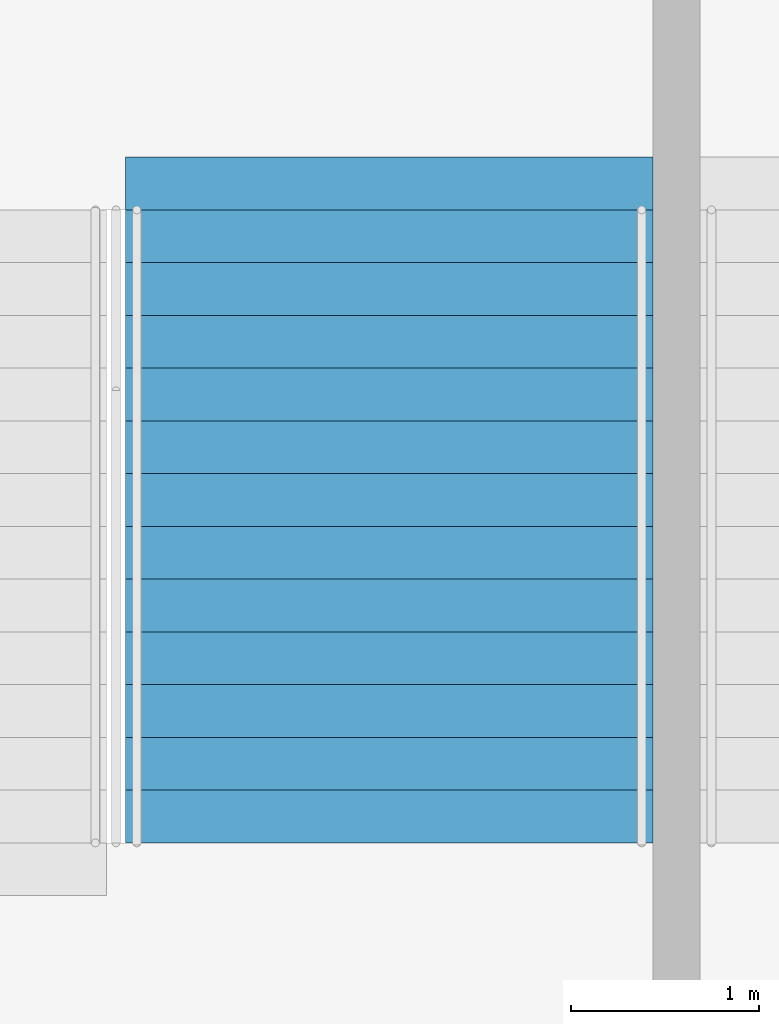
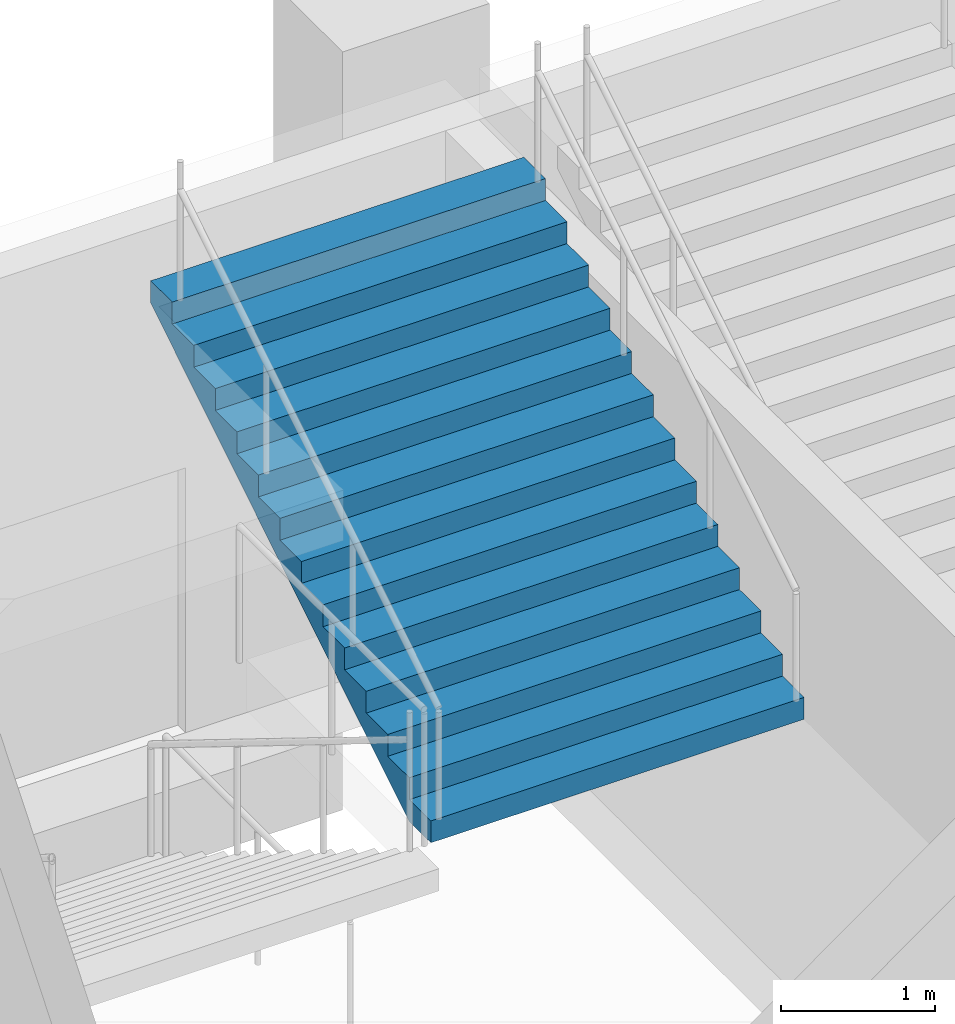
# One storey, part 99 of 177: 1 stair flight, 1 element without a shape of its own.
"""IFC4 building model written with IfcOpenShell, lengths in metres."""

from ifc_helpers import new_model, si_unit, direction, frame, origin, place, context, subcontext, project, spatial, faceted_brep, material, type_object, element, aggregate, save


model = new_model("IFC4")

# Units and contexts
model_context = context("Model", 3, precision=1e-05, world=origin(), true_north=direction((0.0, 1.0)))
body_context = subcontext(model_context, "Body", "Model", "MODEL_VIEW")
ifc_project = project(units=[si_unit("LENGTHUNIT", "METRE"), si_unit("AREAUNIT", "SQUARE_METRE"), si_unit("VOLUMEUNIT", "CUBIC_METRE"), si_unit("PLANEANGLEUNIT", "RADIAN"), si_unit("MASSUNIT", "GRAM", prefix="KILO")], contexts=[model_context])

# Site, building, storey
site_placement = place(None, origin())
site = spatial("IfcSite", under=ifc_project, at=site_placement, CompositionType="ELEMENT")
building_placement = place(site_placement, origin())
building = spatial("IfcBuilding", under=site, at=building_placement, Name="Ogive Plaza Stadium", CompositionType="ELEMENT")
storey_placement = place(building_placement, frame((0.0, 0.0, 18.0)))
storey = spatial("IfcBuildingStorey", under=building, at=storey_placement, Name="L04", CompositionType="ELEMENT", Elevation=18.0)

# Stair, stair flight
ifc_material_1 = material(Name="Concrete C40/50", Category="concrete")
stair_type = type_object("IfcStairType", Name="Exit stair", PredefinedType="STRAIGHT_RUN_STAIR", material=ifc_material_1)
stair_placement = place(storey_placement, origin())
stair = element("IfcStair", 1, at=stair_placement, inside=storey, type_object=stair_type, Name="Exit stair ST14A L04 to L05", PredefinedType="STRAIGHT_RUN_STAIR")
ifc_material_2 = material(Name="Concrete C40/50", Category="concrete")
stair_flight_type = type_object("IfcStairFlightType", Name="Exit stair flight", PredefinedType="STRAIGHT", material=ifc_material_2)
stair_flight_placement = place(storey_placement, frame((5.27490234375, -98.2099609375, 2.25), z_axis=(0.0, 0.0, 1.0), x_axis=(0.0, 1.0, 0.0)))
stair_flight = element("IfcStairFlight", 2, at=stair_flight_placement, type_object=stair_flight_type, Name="ST14A flight 2", NumberOfRisers=13, NumberOfTreads=12, PredefinedType="STRAIGHT", RiserHeight=0.173076923, TreadLength=0.28, context=body_context, shape_type="Brep", body=[
    faceted_brep([(0.28515625, -1.39990234375, 0.0), (3.639892578125, -1.39990234375, 2.07373046875), (3.639892578125, -1.39990234375, 2.25), (3.360107421875, -1.39990234375, 2.25), (3.360107421875, -1.39990234375, 2.076904296875), (3.080078125, -1.39990234375, 2.076904296875), (3.080078125, -1.39990234375, 1.90380859375), (2.800048828125, -1.39990234375, 1.90380859375), (2.800048828125, -1.39990234375, 1.730712890625), (2.52001953125, -1.39990234375, 1.730712890625), (2.52001953125, -1.39990234375, 1.5576171875), (2.239990234375, -1.39990234375, 1.5576171875), (2.239990234375, -1.39990234375, 1.384521484375), (1.9599609375, -1.39990234375, 1.384521484375), (1.9599609375, -1.39990234375, 1.21142578125), (1.679931640625, -1.39990234375, 1.21142578125), (1.679931640625, -1.39990234375, 1.03857421875), (1.39990234375, -1.39990234375, 1.03857421875), (1.39990234375, -1.39990234375, 0.865478515625), (1.1201171875, -1.39990234375, 0.865478515625), (1.1201171875, -1.39990234375, 0.6923828125), (0.840087890625, -1.39990234375, 0.6923828125), (0.840087890625, -1.39990234375, 0.519287109375), (0.56005859375, -1.39990234375, 0.519287109375), (0.56005859375, -1.39990234375, 0.34619140625), (0.280029296875, -1.39990234375, 0.34619140625), (0.280029296875, -1.39990234375, 0.173095703125), (0.0, -1.39990234375, 0.173095703125), (0.0, -1.39990234375, 0.0), (0.0, 1.39990234375, 0.0), (0.0, 1.39990234375, 0.173095703125), (0.280029296875, 1.39990234375, 0.173095703125), (0.280029296875, 1.39990234375, 0.34619140625), (0.56005859375, 1.39990234375, 0.34619140625), (0.56005859375, 1.39990234375, 0.519287109375), (0.840087890625, 1.39990234375, 0.519287109375), (0.840087890625, 1.39990234375, 0.6923828125), (1.1201171875, 1.39990234375, 0.6923828125), (1.1201171875, 1.39990234375, 0.865478515625), (1.39990234375, 1.39990234375, 0.865478515625), (1.39990234375, 1.39990234375, 1.03857421875), (1.679931640625, 1.39990234375, 1.03857421875), (1.679931640625, 1.39990234375, 1.21142578125), (1.9599609375, 1.39990234375, 1.21142578125), (1.9599609375, 1.39990234375, 1.384521484375), (2.239990234375, 1.39990234375, 1.384521484375), (2.239990234375, 1.39990234375, 1.5576171875), (2.52001953125, 1.39990234375, 1.5576171875), (2.52001953125, 1.39990234375, 1.730712890625), (2.800048828125, 1.39990234375, 1.730712890625), (2.800048828125, 1.39990234375, 1.90380859375), (3.080078125, 1.39990234375, 1.90380859375), (3.080078125, 1.39990234375, 2.076904296875), (3.360107421875, 1.39990234375, 2.076904296875), (3.360107421875, 1.39990234375, 2.25), (3.639892578125, 1.39990234375, 2.25), (3.639892578125, 1.39990234375, 2.07373046875), (0.28515625, 1.39990234375, 0.0), (0.28515625, -1.0888671875, 0.0), (3.639892578125, -1.0888671875, 2.07373046875), (0.28515625, -0.77783203125, 0.0), (3.639892578125, -0.77783203125, 2.07373046875), (0.28515625, -0.466796875, 0.0), (3.639892578125, -0.466796875, 2.07373046875), (0.28515625, -0.155517578125, 0.0), (3.639892578125, -0.155517578125, 2.07373046875), (0.28515625, 0.155517578125, 0.0), (3.639892578125, 0.155517578125, 2.07373046875), (0.28515625, 0.466796875, 0.0), (3.639892578125, 0.466796875, 2.07373046875), (0.28515625, 0.77783203125, 0.0), (3.639892578125, 0.77783203125, 2.07373046875), (0.28515625, 1.0888671875, 0.0), (3.639892578125, 1.0888671875, 2.07373046875), (3.639892578125, -1.0888671875, 2.25), (3.639892578125, -0.77783203125, 2.25), (3.639892578125, -0.466796875, 2.25), (3.639892578125, -0.155517578125, 2.25), (3.639892578125, 0.155517578125, 2.25), (3.639892578125, 0.466796875, 2.25), (3.639892578125, 0.77783203125, 2.25), (3.639892578125, 1.0888671875, 2.25), (3.360107421875, -1.0888671875, 2.25), (3.360107421875, -0.77783203125, 2.25), (3.360107421875, -0.466796875, 2.25), (3.360107421875, -0.155517578125, 2.25), (3.360107421875, 0.155517578125, 2.25), (3.360107421875, 0.466796875, 2.25), (3.360107421875, 0.77783203125, 2.25), (3.360107421875, 1.0888671875, 2.25), (3.360107421875, -1.0888671875, 2.076904296875), (3.360107421875, -0.77783203125, 2.076904296875), (3.360107421875, -0.466796875, 2.076904296875), (3.360107421875, -0.155517578125, 2.076904296875), (3.360107421875, 0.155517578125, 2.076904296875), (3.360107421875, 0.466796875, 2.076904296875), (3.360107421875, 0.77783203125, 2.076904296875), (3.360107421875, 1.0888671875, 2.076904296875), (3.080078125, -1.0888671875, 2.076904296875), (3.080078125, -0.77783203125, 2.076904296875), (3.080078125, -0.466796875, 2.076904296875), (3.080078125, -0.155517578125, 2.076904296875), (3.080078125, 0.155517578125, 2.076904296875), (3.080078125, 0.466796875, 2.076904296875), (3.080078125, 0.77783203125, 2.076904296875), (3.080078125, 1.0888671875, 2.076904296875), (3.080078125, -1.0888671875, 1.90380859375), (3.080078125, -0.77783203125, 1.90380859375), (3.080078125, -0.466796875, 1.90380859375), (3.080078125, -0.155517578125, 1.90380859375), (3.080078125, 0.155517578125, 1.90380859375), (3.080078125, 0.466796875, 1.90380859375), (3.080078125, 0.77783203125, 1.90380859375), (3.080078125, 1.0888671875, 1.90380859375), (2.800048828125, -1.0888671875, 1.90380859375), (2.800048828125, -0.77783203125, 1.90380859375), (2.800048828125, -0.466796875, 1.90380859375), (2.800048828125, -0.155517578125, 1.90380859375), (2.800048828125, 0.155517578125, 1.90380859375), (2.800048828125, 0.466796875, 1.90380859375), (2.800048828125, 0.77783203125, 1.90380859375), (2.800048828125, 1.0888671875, 1.90380859375), (2.800048828125, -1.0888671875, 1.730712890625), (2.800048828125, -0.77783203125, 1.730712890625), (2.800048828125, -0.466796875, 1.730712890625), (2.800048828125, -0.155517578125, 1.730712890625), (2.800048828125, 0.155517578125, 1.730712890625), (2.800048828125, 0.466796875, 1.730712890625), (2.800048828125, 0.77783203125, 1.730712890625), (2.800048828125, 1.0888671875, 1.730712890625), (2.52001953125, -1.0888671875, 1.730712890625), (2.52001953125, -0.77783203125, 1.730712890625), (2.52001953125, -0.466796875, 1.730712890625), (2.52001953125, -0.155517578125, 1.730712890625), (2.52001953125, 0.155517578125, 1.730712890625), (2.52001953125, 0.466796875, 1.730712890625), (2.52001953125, 0.77783203125, 1.730712890625), (2.52001953125, 1.0888671875, 1.730712890625), (2.52001953125, -1.0888671875, 1.5576171875), (2.52001953125, -0.77783203125, 1.5576171875), (2.52001953125, -0.466796875, 1.5576171875), (2.52001953125, -0.155517578125, 1.5576171875), (2.52001953125, 0.155517578125, 1.5576171875), (2.52001953125, 0.466796875, 1.5576171875), (2.52001953125, 0.77783203125, 1.5576171875), (2.52001953125, 1.0888671875, 1.5576171875), (2.239990234375, -1.0888671875, 1.5576171875), (2.239990234375, -0.77783203125, 1.5576171875), (2.239990234375, -0.466796875, 1.5576171875), (2.239990234375, -0.155517578125, 1.5576171875), (2.239990234375, 0.155517578125, 1.5576171875), (2.239990234375, 0.466796875, 1.5576171875), (2.239990234375, 0.77783203125, 1.5576171875), (2.239990234375, 1.0888671875, 1.5576171875), (2.239990234375, -1.0888671875, 1.384521484375), (2.239990234375, -0.77783203125, 1.384521484375), (2.239990234375, -0.466796875, 1.384521484375), (2.239990234375, -0.155517578125, 1.384521484375), (2.239990234375, 0.155517578125, 1.384521484375), (2.239990234375, 0.466796875, 1.384521484375), (2.239990234375, 0.77783203125, 1.384521484375), (2.239990234375, 1.0888671875, 1.384521484375), (1.9599609375, -1.0888671875, 1.384521484375), (1.9599609375, -0.77783203125, 1.384521484375), (1.9599609375, -0.466796875, 1.384521484375), (1.9599609375, -0.155517578125, 1.384521484375), (1.9599609375, 0.155517578125, 1.384521484375), (1.9599609375, 0.466796875, 1.384521484375), (1.9599609375, 0.77783203125, 1.384521484375), (1.9599609375, 1.0888671875, 1.384521484375), (1.9599609375, -1.0888671875, 1.21142578125), (1.9599609375, -0.77783203125, 1.21142578125), (1.9599609375, -0.466796875, 1.21142578125), (1.9599609375, -0.155517578125, 1.21142578125), (1.9599609375, 0.155517578125, 1.21142578125), (1.9599609375, 0.466796875, 1.21142578125), (1.9599609375, 0.77783203125, 1.21142578125), (1.9599609375, 1.0888671875, 1.21142578125), (1.679931640625, -1.0888671875, 1.21142578125), (1.679931640625, -0.77783203125, 1.21142578125), (1.679931640625, -0.466796875, 1.21142578125), (1.679931640625, -0.155517578125, 1.21142578125), (1.679931640625, 0.155517578125, 1.21142578125), (1.679931640625, 0.466796875, 1.21142578125), (1.679931640625, 0.77783203125, 1.21142578125), (1.679931640625, 1.0888671875, 1.21142578125), (1.679931640625, -1.0888671875, 1.03857421875), (1.679931640625, -0.77783203125, 1.03857421875), (1.679931640625, -0.466796875, 1.03857421875), (1.679931640625, -0.155517578125, 1.03857421875), (1.679931640625, 0.155517578125, 1.03857421875), (1.679931640625, 0.466796875, 1.03857421875), (1.679931640625, 0.77783203125, 1.03857421875), (1.679931640625, 1.0888671875, 1.03857421875), (1.39990234375, -1.0888671875, 1.03857421875), (1.39990234375, -0.77783203125, 1.03857421875), (1.39990234375, -0.466796875, 1.03857421875), (1.39990234375, -0.155517578125, 1.03857421875), (1.39990234375, 0.155517578125, 1.03857421875), (1.39990234375, 0.466796875, 1.03857421875), (1.39990234375, 0.77783203125, 1.03857421875), (1.39990234375, 1.0888671875, 1.03857421875), (1.39990234375, -1.0888671875, 0.865478515625), (1.39990234375, -0.77783203125, 0.865478515625), (1.39990234375, -0.466796875, 0.865478515625), (1.39990234375, -0.155517578125, 0.865478515625), (1.39990234375, 0.155517578125, 0.865478515625), (1.39990234375, 0.466796875, 0.865478515625), (1.39990234375, 0.77783203125, 0.865478515625), (1.39990234375, 1.0888671875, 0.865478515625), (1.1201171875, -1.0888671875, 0.865478515625), (1.1201171875, -0.77783203125, 0.865478515625), (1.1201171875, -0.466796875, 0.865478515625), (1.1201171875, -0.155517578125, 0.865478515625), (1.1201171875, 0.155517578125, 0.865478515625), (1.1201171875, 0.466796875, 0.865478515625), (1.1201171875, 0.77783203125, 0.865478515625), (1.1201171875, 1.0888671875, 0.865478515625), (1.1201171875, -1.0888671875, 0.6923828125), (1.1201171875, -0.77783203125, 0.6923828125), (1.1201171875, -0.466796875, 0.6923828125), (1.1201171875, -0.155517578125, 0.6923828125), (1.1201171875, 0.155517578125, 0.6923828125), (1.1201171875, 0.466796875, 0.6923828125), (1.1201171875, 0.77783203125, 0.6923828125), (1.1201171875, 1.0888671875, 0.6923828125), (0.840087890625, -1.0888671875, 0.6923828125), (0.840087890625, -0.77783203125, 0.6923828125), (0.840087890625, -0.466796875, 0.6923828125), (0.840087890625, -0.155517578125, 0.6923828125), (0.840087890625, 0.155517578125, 0.6923828125), (0.840087890625, 0.466796875, 0.6923828125), (0.840087890625, 0.77783203125, 0.6923828125), (0.840087890625, 1.0888671875, 0.6923828125), (0.840087890625, -1.0888671875, 0.519287109375), (0.840087890625, -0.77783203125, 0.519287109375), (0.840087890625, -0.466796875, 0.519287109375), (0.840087890625, -0.155517578125, 0.519287109375), (0.840087890625, 0.155517578125, 0.519287109375), (0.840087890625, 0.466796875, 0.519287109375), (0.840087890625, 0.77783203125, 0.519287109375), (0.840087890625, 1.0888671875, 0.519287109375), (0.56005859375, -1.0888671875, 0.519287109375), (0.56005859375, -0.77783203125, 0.519287109375), (0.56005859375, -0.466796875, 0.519287109375), (0.56005859375, -0.155517578125, 0.519287109375), (0.56005859375, 0.155517578125, 0.519287109375), (0.56005859375, 0.466796875, 0.519287109375), (0.56005859375, 0.77783203125, 0.519287109375), (0.56005859375, 1.0888671875, 0.519287109375), (0.56005859375, -1.0888671875, 0.34619140625), (0.56005859375, -0.77783203125, 0.34619140625), (0.56005859375, -0.466796875, 0.34619140625), (0.56005859375, -0.155517578125, 0.34619140625), (0.56005859375, 0.155517578125, 0.34619140625), (0.56005859375, 0.466796875, 0.34619140625), (0.56005859375, 0.77783203125, 0.34619140625), (0.56005859375, 1.0888671875, 0.34619140625), (0.280029296875, -1.0888671875, 0.34619140625), (0.280029296875, -0.77783203125, 0.34619140625), (0.280029296875, -0.466796875, 0.34619140625), (0.280029296875, -0.155517578125, 0.34619140625), (0.280029296875, 0.155517578125, 0.34619140625), (0.280029296875, 0.466796875, 0.34619140625), (0.280029296875, 0.77783203125, 0.34619140625), (0.280029296875, 1.0888671875, 0.34619140625), (0.280029296875, -1.0888671875, 0.173095703125), (0.280029296875, -0.77783203125, 0.173095703125), (0.280029296875, -0.466796875, 0.173095703125), (0.280029296875, -0.155517578125, 0.173095703125), (0.280029296875, 0.155517578125, 0.173095703125), (0.280029296875, 0.466796875, 0.173095703125), (0.280029296875, 0.77783203125, 0.173095703125), (0.280029296875, 1.0888671875, 0.173095703125), (0.0, -1.0888671875, 0.173095703125), (0.0, -0.77783203125, 0.173095703125), (0.0, -0.466796875, 0.173095703125), (0.0, -0.155517578125, 0.173095703125), (0.0, 0.155517578125, 0.173095703125), (0.0, 0.466796875, 0.173095703125), (0.0, 0.77783203125, 0.173095703125), (0.0, 1.0888671875, 0.173095703125), (0.0, -1.0888671875, 0.0), (0.0, -0.77783203125, 0.0), (0.0, -0.466796875, 0.0), (0.0, -0.155517578125, 0.0), (0.0, 0.155517578125, 0.0), (0.0, 0.466796875, 0.0), (0.0, 0.77783203125, 0.0), (0.0, 1.0888671875, 0.0)], [[[0, 1, 2, 3, 4, 5, 6, 7, 8, 9, 10, 11, 12, 13, 14, 15, 16, 17, 18, 19, 20, 21, 22, 23, 24, 25, 26, 27, 28]], [[29, 30, 31, 32, 33, 34, 35, 36, 37, 38, 39, 40, 41, 42, 43, 44, 45, 46, 47, 48, 49, 50, 51, 52, 53, 54, 55, 56, 57]], [[0, 58, 59, 1]], [[58, 60, 61, 59]], [[60, 62, 63, 61]], [[62, 64, 65, 63]], [[64, 66, 67, 65]], [[66, 68, 69, 67]], [[68, 70, 71, 69]], [[70, 72, 73, 71]], [[72, 57, 56, 73]], [[1, 59, 74, 2]], [[59, 61, 75, 74]], [[61, 63, 76, 75]], [[63, 65, 77, 76]], [[65, 67, 78, 77]], [[67, 69, 79, 78]], [[69, 71, 80, 79]], [[71, 73, 81, 80]], [[73, 56, 55, 81]], [[2, 74, 82, 3]], [[74, 75, 83, 82]], [[75, 76, 84, 83]], [[76, 77, 85, 84]], [[77, 78, 86, 85]], [[78, 79, 87, 86]], [[79, 80, 88, 87]], [[80, 81, 89, 88]], [[81, 55, 54, 89]], [[3, 82, 90, 4]], [[82, 83, 91, 90]], [[83, 84, 92, 91]], [[84, 85, 93, 92]], [[85, 86, 94, 93]], [[86, 87, 95, 94]], [[87, 88, 96, 95]], [[88, 89, 97, 96]], [[89, 54, 53, 97]], [[4, 90, 98, 5]], [[90, 91, 99, 98]], [[91, 92, 100, 99]], [[92, 93, 101, 100]], [[93, 94, 102, 101]], [[94, 95, 103, 102]], [[95, 96, 104, 103]], [[96, 97, 105, 104]], [[97, 53, 52, 105]], [[5, 98, 106, 6]], [[98, 99, 107, 106]], [[99, 100, 108, 107]], [[100, 101, 109, 108]], [[101, 102, 110, 109]], [[102, 103, 111, 110]], [[103, 104, 112, 111]], [[104, 105, 113, 112]], [[105, 52, 51, 113]], [[6, 106, 114, 7]], [[106, 107, 115, 114]], [[107, 108, 116, 115]], [[108, 109, 117, 116]], [[109, 110, 118, 117]], [[110, 111, 119, 118]], [[111, 112, 120, 119]], [[112, 113, 121, 120]], [[113, 51, 50, 121]], [[7, 114, 122, 8]], [[114, 115, 123, 122]], [[115, 116, 124, 123]], [[116, 117, 125, 124]], [[117, 118, 126, 125]], [[118, 119, 127, 126]], [[119, 120, 128, 127]], [[120, 121, 129, 128]], [[121, 50, 49, 129]], [[8, 122, 130, 9]], [[122, 123, 131, 130]], [[123, 124, 132, 131]], [[124, 125, 133, 132]], [[125, 126, 134, 133]], [[126, 127, 135, 134]], [[127, 128, 136, 135]], [[128, 129, 137, 136]], [[129, 49, 48, 137]], [[9, 130, 138, 10]], [[130, 131, 139, 138]], [[131, 132, 140, 139]], [[132, 133, 141, 140]], [[133, 134, 142, 141]], [[134, 135, 143, 142]], [[135, 136, 144, 143]], [[136, 137, 145, 144]], [[137, 48, 47, 145]], [[10, 138, 146, 11]], [[138, 139, 147, 146]], [[139, 140, 148, 147]], [[140, 141, 149, 148]], [[141, 142, 150, 149]], [[142, 143, 151, 150]], [[143, 144, 152, 151]], [[144, 145, 153, 152]], [[145, 47, 46, 153]], [[11, 146, 154, 12]], [[146, 147, 155, 154]], [[147, 148, 156, 155]], [[148, 149, 157, 156]], [[149, 150, 158, 157]], [[150, 151, 159, 158]], [[151, 152, 160, 159]], [[152, 153, 161, 160]], [[153, 46, 45, 161]], [[12, 154, 162, 13]], [[154, 155, 163, 162]], [[155, 156, 164, 163]], [[156, 157, 165, 164]], [[157, 158, 166, 165]], [[158, 159, 167, 166]], [[159, 160, 168, 167]], [[160, 161, 169, 168]], [[161, 45, 44, 169]], [[13, 162, 170, 14]], [[162, 163, 171, 170]], [[163, 164, 172, 171]], [[164, 165, 173, 172]], [[165, 166, 174, 173]], [[166, 167, 175, 174]], [[167, 168, 176, 175]], [[168, 169, 177, 176]], [[169, 44, 43, 177]], [[14, 170, 178, 15]], [[170, 171, 179, 178]], [[171, 172, 180, 179]], [[172, 173, 181, 180]], [[173, 174, 182, 181]], [[174, 175, 183, 182]], [[175, 176, 184, 183]], [[176, 177, 185, 184]], [[177, 43, 42, 185]], [[15, 178, 186, 16]], [[178, 179, 187, 186]], [[179, 180, 188, 187]], [[180, 181, 189, 188]], [[181, 182, 190, 189]], [[182, 183, 191, 190]], [[183, 184, 192, 191]], [[184, 185, 193, 192]], [[185, 42, 41, 193]], [[16, 186, 194, 17]], [[186, 187, 195, 194]], [[187, 188, 196, 195]], [[188, 189, 197, 196]], [[189, 190, 198, 197]], [[190, 191, 199, 198]], [[191, 192, 200, 199]], [[192, 193, 201, 200]], [[193, 41, 40, 201]], [[17, 194, 202, 18]], [[194, 195, 203, 202]], [[195, 196, 204, 203]], [[196, 197, 205, 204]], [[197, 198, 206, 205]], [[198, 199, 207, 206]], [[199, 200, 208, 207]], [[200, 201, 209, 208]], [[201, 40, 39, 209]], [[18, 202, 210, 19]], [[202, 203, 211, 210]], [[203, 204, 212, 211]], [[204, 205, 213, 212]], [[205, 206, 214, 213]], [[206, 207, 215, 214]], [[207, 208, 216, 215]], [[208, 209, 217, 216]], [[209, 39, 38, 217]], [[19, 210, 218, 20]], [[210, 211, 219, 218]], [[211, 212, 220, 219]], [[212, 213, 221, 220]], [[213, 214, 222, 221]], [[214, 215, 223, 222]], [[215, 216, 224, 223]], [[216, 217, 225, 224]], [[217, 38, 37, 225]], [[20, 218, 226, 21]], [[218, 219, 227, 226]], [[219, 220, 228, 227]], [[220, 221, 229, 228]], [[221, 222, 230, 229]], [[222, 223, 231, 230]], [[223, 224, 232, 231]], [[224, 225, 233, 232]], [[225, 37, 36, 233]], [[21, 226, 234, 22]], [[226, 227, 235, 234]], [[227, 228, 236, 235]], [[228, 229, 237, 236]], [[229, 230, 238, 237]], [[230, 231, 239, 238]], [[231, 232, 240, 239]], [[232, 233, 241, 240]], [[233, 36, 35, 241]], [[22, 234, 242, 23]], [[234, 235, 243, 242]], [[235, 236, 244, 243]], [[236, 237, 245, 244]], [[237, 238, 246, 245]], [[238, 239, 247, 246]], [[239, 240, 248, 247]], [[240, 241, 249, 248]], [[241, 35, 34, 249]], [[23, 242, 250, 24]], [[242, 243, 251, 250]], [[243, 244, 252, 251]], [[244, 245, 253, 252]], [[245, 246, 254, 253]], [[246, 247, 255, 254]], [[247, 248, 256, 255]], [[248, 249, 257, 256]], [[249, 34, 33, 257]], [[24, 250, 258, 25]], [[250, 251, 259, 258]], [[251, 252, 260, 259]], [[252, 253, 261, 260]], [[253, 254, 262, 261]], [[254, 255, 263, 262]], [[255, 256, 264, 263]], [[256, 257, 265, 264]], [[257, 33, 32, 265]], [[25, 258, 266, 26]], [[258, 259, 267, 266]], [[259, 260, 268, 267]], [[260, 261, 269, 268]], [[261, 262, 270, 269]], [[262, 263, 271, 270]], [[263, 264, 272, 271]], [[264, 265, 273, 272]], [[265, 32, 31, 273]], [[26, 266, 274, 27]], [[266, 267, 275, 274]], [[267, 268, 276, 275]], [[268, 269, 277, 276]], [[269, 270, 278, 277]], [[270, 271, 279, 278]], [[271, 272, 280, 279]], [[272, 273, 281, 280]], [[273, 31, 30, 281]], [[27, 274, 282, 28]], [[274, 275, 283, 282]], [[275, 276, 284, 283]], [[276, 277, 285, 284]], [[277, 278, 286, 285]], [[278, 279, 287, 286]], [[279, 280, 288, 287]], [[280, 281, 289, 288]], [[281, 30, 29, 289]], [[28, 282, 58, 0]], [[282, 283, 60, 58]], [[283, 284, 62, 60]], [[284, 285, 64, 62]], [[285, 286, 66, 64]], [[286, 287, 68, 66]], [[287, 288, 70, 68]], [[288, 289, 72, 70]], [[289, 29, 57, 72]]]),
])
aggregate(stair, [stair_flight])

save(model, "model.ifc")
